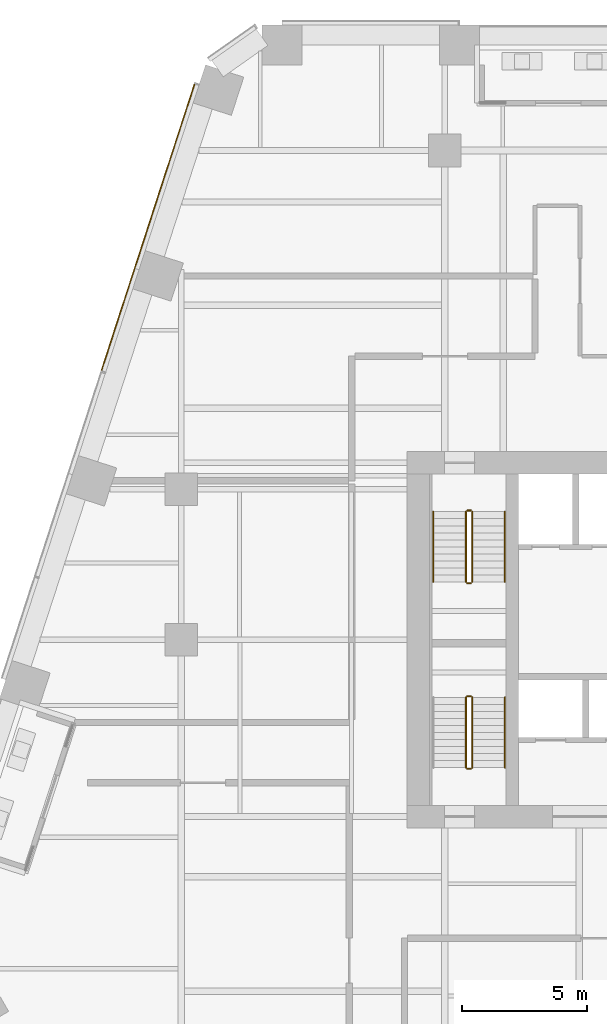
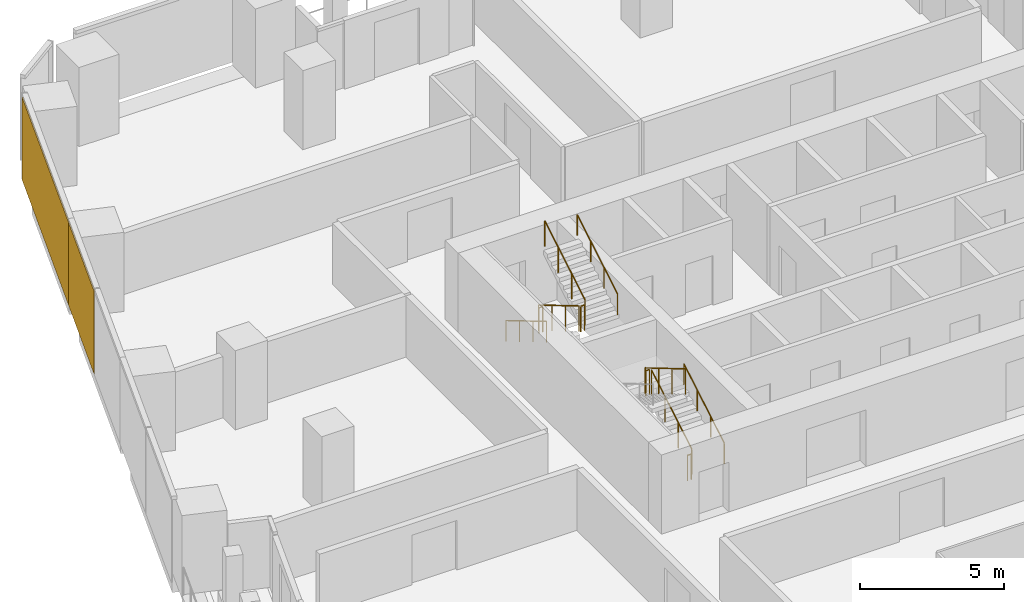
# One storey, part 28 of 31: 11 railings, 2 coverings, 1 element without a shape of its own.
"""IFC4 building model written with IfcOpenShell, lengths in metres."""

from ifc_helpers import new_model, si_unit, direction, frame, origin, origin_2d, place, context, subcontext, project, spatial, rectangle, circle, extrude, material, layer, layer_set, type_object, element, aggregate, save


model = new_model("IFC4")

# Units and contexts
model_context = context("Model", 3, precision=1e-05, world=origin(), true_north=direction((0.0, 1.0)))
body_context = subcontext(model_context, "Body", "Model", "MODEL_VIEW")
ifc_project = project(units=[si_unit("LENGTHUNIT", "METRE"), si_unit("AREAUNIT", "SQUARE_METRE"), si_unit("VOLUMEUNIT", "CUBIC_METRE"), si_unit("PLANEANGLEUNIT", "RADIAN"), si_unit("MASSUNIT", "GRAM", prefix="KILO")], contexts=[model_context])

# Site, building, storey
site_placement = place(None, origin())
site = spatial("IfcSite", under=ifc_project, at=site_placement, CompositionType="ELEMENT")
building_placement = place(site_placement, origin())
building = spatial("IfcBuilding", under=site, at=building_placement, Name="Isthmus Gate Tower", CompositionType="ELEMENT")
storey_placement = place(building_placement, frame((0.0, 0.0, 113.5)))
storey = spatial("IfcBuildingStorey", under=building, at=storey_placement, Name="L27", CompositionType="ELEMENT", Elevation=113.5)

# Curtain wall, coverings
ifc_material_1 = material(Name="Aluminium, pale champagne anodised", Category="aluminium")
ifc_layer_1 = layer(ifc_material_1, 0.199951171875)
ifc_layer_set_1 = layer_set([ifc_layer_1], Name="CW-1 UNITISED CURTAIN WALL 200 DEEP")
curtain_wall_type = type_object("IfcCurtainWallType", Name="CW-1 UNITISED CURTAIN WALL 200 DEEP", PredefinedType="NOTDEFINED", material=ifc_layer_set_1)
curtain_wall_placement = place(storey_placement, origin())
curtain_wall = element("IfcCurtainWall", 1, at=curtain_wall_placement, inside=storey, type_object=curtain_wall_type, Name="CW-1 NW L27", PredefinedType="NOTDEFINED")
ifc_material_2 = material(Name="Aluminium composite panel, pale champagne anodised", Category="aluminium")
ifc_layer_2 = layer(ifc_material_2, 0.0400390625)
ifc_layer_set_2 = layer_set([ifc_layer_2], Name="CW-1 PALE METAL PANEL 40")
covering_type = type_object("IfcCoveringType", Name="CW-1 PALE METAL PANEL 40", PredefinedType="CLADDING", material=ifc_layer_set_2)
covering_1_placement = place(storey_placement, frame((-24.660400390625, 25.97705078125, 0.0), z_axis=(0.0, 0.0, 1.0), x_axis=(-0.309016994375, -0.951056516295, 0.0)))
covering_1 = element("IfcCovering", 2, at=covering_1_placement, type_object=covering_type, Name="CW-1 pale metal panel", PredefinedType="CLADDING", context=body_context, shape_type="SweptSolid", body=[
    extrude(rectangle(XDim=7.729248046875, YDim=0.0400390625, at=origin_2d()), origin(), (0.0, 0.0, 1.0), 3.5),
])
covering_2_placement = place(storey_placement, frame((-26.51806640625, 20.25927734375, 0.0), z_axis=(0.0, 0.0, 1.0), x_axis=(-0.309016994375, -0.951056516295, 0.0)))
covering_2 = element("IfcCovering", 3, at=covering_2_placement, type_object=covering_type, Name="CW-1 pale metal panel", PredefinedType="CLADDING", context=body_context, shape_type="SweptSolid", body=[
    extrude(rectangle(XDim=4.294677734375, YDim=0.0400390625, at=origin_2d()), origin(), (0.0, 0.0, 1.0), 3.5),
])
aggregate(curtain_wall, [covering_1, covering_2])

# Railings
ifc_material_3 = material(Name="Stainless steel balustrade", Category="steel")
railing_type_1 = type_object("IfcRailingType", Name="STAIR GUARD 1100", PredefinedType="GUARDRAIL", material=ifc_material_3)
railing_1_placement = place(storey_placement, frame((-12.64990234375, 12.60009765625, 0.166015625)))
element("IfcRailing", 4, at=railing_1_placement, inside=storey, type_object=railing_type_1, Name="L27 ST1 stair guard 1", PredefinedType="GUARDRAIL", context=body_context, shape_type="SweptSolid", body=[
    extrude(circle(Radius=0.02392578125, at=origin_2d()), frame((0.0, 0.0, 1.076171875), z_axis=(0.0, -0.860339051648, 0.50972219513), x_axis=(1.0, 0.0, 0.0)), (0.0, 0.0, 1.0), 3.254638671875),
    extrude(circle(Radius=0.02099609375, at=origin_2d()), origin(), (0.0, 0.0, 1.0), 1.052001953125),
    extrude(circle(Radius=0.02099609375, at=origin_2d()), frame((0.0, -0.933349609375, 0.552978515625)), (0.0, 0.0, 1.0), 1.052001953125),
    extrude(circle(Radius=0.02099609375, at=origin_2d()), frame((0.0, -1.86669921875, 1.10595703125)), (0.0, 0.0, 1.0), 1.052001953125),
    extrude(circle(Radius=0.02099609375, at=origin_2d()), frame((0.0, -2.800048828125, 1.658935546875)), (0.0, 0.0, 1.0), 1.052001953125),
])
railing_2_placement = place(storey_placement, frame((-12.60009765625, 9.75, 1.824951171875)))
element("IfcRailing", 5, at=railing_2_placement, inside=storey, type_object=railing_type_1, Name="L27 ST1 stair guard 2", PredefinedType="GUARDRAIL", context=body_context, shape_type="SweptSolid", body=[
    extrude(circle(Radius=0.02392578125, at=origin_2d()), frame((0.0, 0.0, 1.076171875), z_axis=(1.0, 0.0, 0.0), x_axis=(0.0, 1.0, 0.0)), (0.0, 0.0, 1.0), 0.150146484375),
    extrude(circle(Radius=0.02099609375, at=origin_2d()), origin(), (0.0, 0.0, 1.0), 1.052001953125),
    extrude(circle(Radius=0.02099609375, at=origin_2d()), frame((0.150146484375, 0.0, 0.0)), (0.0, 0.0, 1.0), 1.052001953125),
])
railing_3_placement = place(storey_placement, frame((-12.39990234375, 9.800048828125, 1.990966796875)))
element("IfcRailing", 6, at=railing_3_placement, inside=storey, type_object=railing_type_1, Name="L27 ST1 stair guard 3", PredefinedType="GUARDRAIL", context=body_context, shape_type="SweptSolid", body=[
    extrude(circle(Radius=0.02392578125, at=origin_2d()), frame((0.0, 0.0, 1.076171875), z_axis=(0.0, 0.860339051648, 0.50972219513), x_axis=(-1.0, 0.0, 0.0)), (0.0, 0.0, 1.0), 3.254638671875),
    extrude(circle(Radius=0.02099609375, at=origin_2d()), origin(), (0.0, 0.0, 1.0), 1.052001953125),
    extrude(circle(Radius=0.02099609375, at=origin_2d()), frame((0.0, 0.933349609375, 0.552978515625)), (0.0, 0.0, 1.0), 1.052001953125),
    extrude(circle(Radius=0.02099609375, at=origin_2d()), frame((0.0, 1.86669921875, 1.10595703125)), (0.0, 0.0, 1.0), 1.052001953125),
    extrude(circle(Radius=0.02099609375, at=origin_2d()), frame((0.0, 2.800048828125, 1.658935546875)), (0.0, 0.0, 1.0), 1.052001953125),
])
railing_4_placement = place(storey_placement, frame((-12.60009765625, 12.64990234375, 0.0)))
element("IfcRailing", 7, at=railing_4_placement, inside=storey, type_object=railing_type_1, Name="L27 ST1 stair guard 4", PredefinedType="GUARDRAIL", context=body_context, shape_type="SweptSolid", body=[
    extrude(circle(Radius=0.02392578125, at=origin_2d()), frame((0.0, 0.0, 1.076171875), z_axis=(1.0, 0.0, 0.0), x_axis=(0.0, 1.0, 0.0)), (0.0, 0.0, 1.0), 0.150146484375),
    extrude(circle(Radius=0.02099609375, at=origin_2d()), origin(), (0.0, 0.0, 1.0), 1.052001953125),
    extrude(circle(Radius=0.02099609375, at=origin_2d()), frame((0.150146484375, 0.0, 0.0)), (0.0, 0.0, 1.0), 1.052001953125),
])
railing_5_placement = place(storey_placement, frame((-12.39990234375, 2.39990234375, 0.166015625)))
element("IfcRailing", 8, at=railing_5_placement, inside=storey, type_object=railing_type_1, Name="L27 ST7 stair guard 1", PredefinedType="GUARDRAIL", context=body_context, shape_type="SweptSolid", body=[
    extrude(circle(Radius=0.02392578125, at=origin_2d()), frame((0.0, 0.0, 1.076171875), z_axis=(0.0, 0.860339051648, 0.50972219513), x_axis=(-1.0, 0.0, 0.0)), (0.0, 0.0, 1.0), 3.254638671875),
    extrude(circle(Radius=0.02099609375, at=origin_2d()), origin(), (0.0, 0.0, 1.0), 1.052001953125),
    extrude(circle(Radius=0.02099609375, at=origin_2d()), frame((0.0, 0.933349609375, 0.552978515625)), (0.0, 0.0, 1.0), 1.052001953125),
    extrude(circle(Radius=0.02099609375, at=origin_2d()), frame((0.0, 1.86669921875, 1.10595703125)), (0.0, 0.0, 1.0), 1.052001953125),
    extrude(circle(Radius=0.02099609375, at=origin_2d()), frame((0.0, 2.800048828125, 1.658935546875)), (0.0, 0.0, 1.0), 1.052001953125),
])
railing_6_placement = place(storey_placement, frame((-12.449951171875, 5.25, 1.824951171875)))
element("IfcRailing", 9, at=railing_6_placement, inside=storey, type_object=railing_type_1, Name="L27 ST7 stair guard 2", PredefinedType="GUARDRAIL", context=body_context, shape_type="SweptSolid", body=[
    extrude(circle(Radius=0.02392578125, at=origin_2d()), frame((0.0, 0.0, 1.076171875), z_axis=(-1.0, 0.0, 0.0), x_axis=(0.0, -1.0, 0.0)), (0.0, 0.0, 1.0), 0.150146484375),
    extrude(circle(Radius=0.02099609375, at=origin_2d()), origin(), (0.0, 0.0, 1.0), 1.052001953125),
    extrude(circle(Radius=0.02099609375, at=origin_2d()), frame((-0.150146484375, 0.0, 0.0)), (0.0, 0.0, 1.0), 1.052001953125),
])
railing_7_placement = place(storey_placement, frame((-12.64990234375, 5.199951171875, 1.990966796875)))
element("IfcRailing", 10, at=railing_7_placement, inside=storey, type_object=railing_type_1, Name="L27 ST7 stair guard 3", PredefinedType="GUARDRAIL", context=body_context, shape_type="SweptSolid", body=[
    extrude(circle(Radius=0.02392578125, at=origin_2d()), frame((0.0, 0.0, 1.076171875), z_axis=(0.0, -0.860339051648, 0.50972219513), x_axis=(1.0, 0.0, 0.0)), (0.0, 0.0, 1.0), 3.254638671875),
    extrude(circle(Radius=0.02099609375, at=origin_2d()), origin(), (0.0, 0.0, 1.0), 1.052001953125),
    extrude(circle(Radius=0.02099609375, at=origin_2d()), frame((0.0, -0.933349609375, 0.552978515625)), (0.0, 0.0, 1.0), 1.052001953125),
    extrude(circle(Radius=0.02099609375, at=origin_2d()), frame((0.0, -1.86669921875, 1.10595703125)), (0.0, 0.0, 1.0), 1.052001953125),
    extrude(circle(Radius=0.02099609375, at=origin_2d()), frame((0.0, -2.800048828125, 1.658935546875)), (0.0, 0.0, 1.0), 1.052001953125),
])
railing_8_placement = place(storey_placement, frame((-12.449951171875, 2.35009765625, 0.0)))
element("IfcRailing", 11, at=railing_8_placement, inside=storey, type_object=railing_type_1, Name="L27 ST7 stair guard 4", PredefinedType="GUARDRAIL", context=body_context, shape_type="SweptSolid", body=[
    extrude(circle(Radius=0.02392578125, at=origin_2d()), frame((0.0, 0.0, 1.076171875), z_axis=(-1.0, 0.0, 0.0), x_axis=(0.0, -1.0, 0.0)), (0.0, 0.0, 1.0), 0.150146484375),
    extrude(circle(Radius=0.02099609375, at=origin_2d()), origin(), (0.0, 0.0, 1.0), 1.052001953125),
    extrude(circle(Radius=0.02099609375, at=origin_2d()), frame((-0.150146484375, 0.0, 0.0)), (0.0, 0.0, 1.0), 1.052001953125),
])
ifc_material_4 = material(Name="Stainless steel handrail", Category="steel")
railing_type_2 = type_object("IfcRailingType", Name="STAIR HANDRAIL 900", PredefinedType="HANDRAIL", material=ifc_material_4)
railing_9_placement = place(storey_placement, frame((-13.949951171875, 12.60009765625, 0.166015625)))
element("IfcRailing", 12, at=railing_9_placement, inside=storey, type_object=railing_type_2, Name="L27 ST1 stair handrail 1", PredefinedType="HANDRAIL", context=body_context, shape_type="SweptSolid", body=[
    extrude(circle(Radius=0.02392578125, at=origin_2d()), frame((0.0, 0.0, 0.8759765625), z_axis=(0.0, -0.860339051648, 0.50972219513), x_axis=(1.0, 0.0, 0.0)), (0.0, 0.0, 1.0), 3.254638671875),
    extrude(circle(Radius=0.02099609375, at=origin_2d()), origin(), (0.0, 0.0, 1.0), 0.851806640625),
    extrude(circle(Radius=0.02099609375, at=origin_2d()), frame((0.0, -0.933349609375, 0.552978515625)), (0.0, 0.0, 1.0), 0.851806640625),
    extrude(circle(Radius=0.02099609375, at=origin_2d()), frame((0.0, -1.86669921875, 1.10595703125)), (0.0, 0.0, 1.0), 0.851806640625),
    extrude(circle(Radius=0.02099609375, at=origin_2d()), frame((0.0, -2.800048828125, 1.658935546875)), (0.0, 0.0, 1.0), 0.851806640625),
])
for number, where, name in (
    (13, (-11.10009765625, 9.800048828125, 1.990966796875), "L27 ST1 stair handrail 2"),
    (14, (-11.10009765625, 2.39990234375, 0.166015625), "L27 ST7 stair handrail 1"),
):
    element("IfcRailing", number, at=place(storey_placement, frame(where)), inside=storey, type_object=railing_type_2, Name=name, PredefinedType="HANDRAIL", context=body_context, shape_type="SweptSolid", body=[
        extrude(circle(Radius=0.02392578125, at=origin_2d()), frame((0.0, 0.0, 0.8759765625), z_axis=(0.0, 0.860339051648, 0.50972219513), x_axis=(-1.0, 0.0, 0.0)), (0.0, 0.0, 1.0), 3.254638671875),
        extrude(circle(Radius=0.02099609375, at=origin_2d()), origin(), (0.0, 0.0, 1.0), 0.851806640625),
        extrude(circle(Radius=0.02099609375, at=origin_2d()), frame((0.0, 0.933349609375, 0.552978515625)), (0.0, 0.0, 1.0), 0.851806640625),
        extrude(circle(Radius=0.02099609375, at=origin_2d()), frame((0.0, 1.86669921875, 1.10595703125)), (0.0, 0.0, 1.0), 0.851806640625),
        extrude(circle(Radius=0.02099609375, at=origin_2d()), frame((0.0, 2.800048828125, 1.658935546875)), (0.0, 0.0, 1.0), 0.851806640625),
    ])

save(model, "model.ifc")
